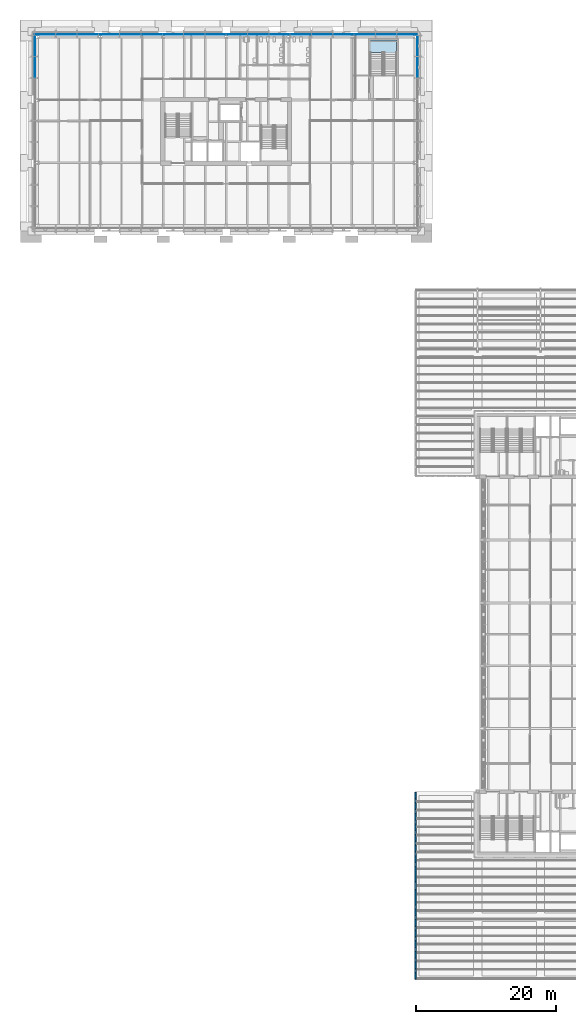
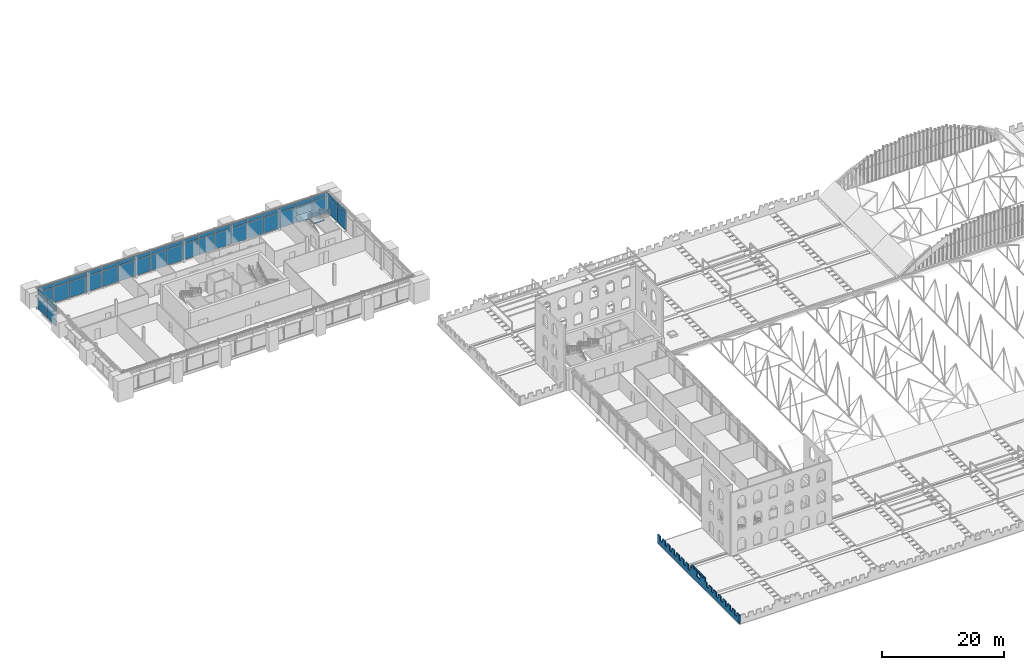
# One storey, part 102 of 153: 44 plates, 1 slab, 1 wall, 4 elements without a shape of their own.
"""IFC4 building model written with IfcOpenShell, lengths in metres."""

import ifcopenshell
import ifcopenshell.guid

model = None  # the IFC model being written
_history = None  # IfcOwnerHistory: only IFC2X3 demands one
_inside = {}  # id of a spatial element -> (the spatial element, [elements in it])
_under = {}  # id of a project, library or spatial element -> (it, [spatial elements below it])
_declared = {}  # id of a project -> (the project, [libraries it declares])
_typed = {}  # id of a type object -> (the type object, [elements of that type])
_made_of = {}  # id of a material, layer set ... -> (it, [elements and type objects made of it])


def new_model(schema):
    """Start an empty IFC model of exactly this schema.

    Asked for "IFC4X3", IfcOpenShell would pick the latest addendum, in which some entities
    have other attributes; the version numbers below select the first issue.
    IFC2X3 requires an IfcOwnerHistory on every rooted entity: one is made here for all.
    """
    global model, _history
    if schema == "IFC4X3":
        model = ifcopenshell.file(schema_version=(4, 3, 0, 0))
    else:
        model = ifcopenshell.file(schema=schema)
    _inside.clear()
    _under.clear()
    _declared.clear()
    _typed.clear()
    _made_of.clear()
    _history = None
    if model.schema == "IFC2X3":
        org = make("IfcOrganization", Name="unknown")
        user = make(
            "IfcPersonAndOrganization",
            ThePerson=make("IfcPerson", FamilyName="unknown"),
            TheOrganization=org,
        )
        app = make(
            "IfcApplication",
            ApplicationDeveloper=org,
            Version="unknown",
            ApplicationFullName="unknown",
            ApplicationIdentifier="unknown",
        )
        _history = make(
            "IfcOwnerHistory",
            OwningUser=user,
            OwningApplication=app,
            ChangeAction="ADDED",
            CreationDate=0,
        )
    return model


def make(cls, **values):
    """One entity of the class cls with the attributes given. An attribute that is None is left unset."""
    return model.create_entity(
        cls, **{name: value for name, value in values.items() if value is not None}
    )


def rooted(cls, **values):
    """An entity with a GlobalId (a new one), such as an element, a storey or a relation."""
    return make(cls, GlobalId=ifcopenshell.guid.new(), OwnerHistory=_history, **values)


def si_unit(unit_type, name, prefix=None):
    """IfcSIUnit, for example si_unit("LENGTHUNIT", "METRE", prefix="MILLI")."""
    return make("IfcSIUnit", UnitType=unit_type, Prefix=prefix, Name=name)


def assignment(units):
    """IfcUnitAssignment: the units of a project."""
    return None if units is None else make("IfcUnitAssignment", Units=units)


def point(xyz):
    """IfcCartesianPoint."""
    return None if xyz is None else make("IfcCartesianPoint", Coordinates=xyz)


def direction(xyz):
    """IfcDirection."""
    return None if xyz is None else make("IfcDirection", DirectionRatios=xyz)


def frame(location, z_axis=None, x_axis=None):
    """IfcAxis2Placement3D, a coordinate frame: its origin and axes. An axis left out is left unset."""
    return make(
        "IfcAxis2Placement3D",
        Location=point(location),
        Axis=direction(z_axis),
        RefDirection=direction(x_axis),
    )


def frame_2d(location, x_axis=None):
    """IfcAxis2Placement2D, a coordinate frame in the plane: its origin and x axis."""
    return make(
        "IfcAxis2Placement2D", Location=point(location), RefDirection=direction(x_axis)
    )


def origin():
    """The frame at (0, 0, 0) with its axes left unset."""
    return frame((0.0, 0.0, 0.0))


def origin_2d():
    """The frame at (0, 0) in the plane with its x axis left unset."""
    return frame_2d((0.0, 0.0))


def place(relative_to, where):
    """IfcLocalPlacement: puts the frame where relative to a parent placement (None: the world)."""
    return make(
        "IfcLocalPlacement", PlacementRelTo=relative_to, RelativePlacement=where
    )


def context(
    kind, dimensions, precision=None, world=None, true_north=None, identifier=None
):
    """IfcGeometricRepresentationContext, for example the 3D "Model" context."""
    return make(
        "IfcGeometricRepresentationContext",
        ContextIdentifier=identifier,
        ContextType=kind,
        CoordinateSpaceDimension=dimensions,
        Precision=precision,
        WorldCoordinateSystem=world,
        TrueNorth=true_north,
    )


def subcontext(parent, identifier, kind, view, scale=None):
    """IfcGeometricRepresentationSubContext, for example "Body" below "Model"."""
    return make(
        "IfcGeometricRepresentationSubContext",
        ContextIdentifier=identifier,
        ContextType=kind,
        ParentContext=parent,
        TargetScale=scale,
        TargetView=view,
    )


def project(units=None, contexts=None):
    """IfcProject with its units and contexts."""
    return rooted(
        "IfcProject",
        Name="project",
        RepresentationContexts=contexts,
        UnitsInContext=assignment(units),
    )


def spatial(cls, under=None, at=None, **own):
    """A site, building, storey or space (cls), placed at a placement, below another one or the project."""
    s = rooted(cls, ObjectPlacement=at, **own)
    if under is not None:
        _under.setdefault(under.id(), (under, []))[1].append(s)
    return s


def polyline(points):
    """IfcPolyline through the points."""
    return make("IfcPolyline", Points=[point(p) for p in points])


def profile(cls, at=None, kind="AREA", **sizes):
    """A parametric profile (cls). Its sizes go by their IFC names, for example OverallWidth=200.0."""
    return make(cls, ProfileType=kind, Position=at, **sizes)


def rectangle(**sizes):
    """IfcRectangleProfileDef."""
    return profile("IfcRectangleProfileDef", **sizes)


def outline(outer, holes=None, kind="AREA"):
    """IfcArbitraryClosedProfileDef: a profile drawn as a closed curve; with holes, ...WithVoids."""
    if holes is None:
        return make("IfcArbitraryClosedProfileDef", ProfileType=kind, OuterCurve=outer)
    return make(
        "IfcArbitraryProfileDefWithVoids",
        ProfileType=kind,
        OuterCurve=outer,
        InnerCurves=holes,
    )


def extrude(swept, where, along, depth):
    """IfcExtrudedAreaSolid: the profile swept, set in the frame where, extruded along a direction by depth."""
    return make(
        "IfcExtrudedAreaSolid",
        SweptArea=swept,
        Position=where,
        ExtrudedDirection=direction(along),
        Depth=depth,
    )


def shape(context_of_items, identifier, shape_type, items):
    """IfcShapeRepresentation: the items that make up one representation, for example the "Body"."""
    return make(
        "IfcShapeRepresentation",
        ContextOfItems=context_of_items,
        RepresentationIdentifier=identifier,
        RepresentationType=shape_type,
        Items=items,
    )


def material(Name=None, Category=None):
    """IfcMaterial."""
    return make("IfcMaterial", Name=Name, Category=Category)


def layer(
    of_material, thickness, ventilated=None, Name=None, Category=None, Priority=None
):
    """IfcMaterialLayer: one layer of a wall or slab, of a material (None: an air gap)."""
    return make(
        "IfcMaterialLayer",
        Material=of_material,
        LayerThickness=thickness,
        IsVentilated=ventilated,
        Name=Name,
        Category=Category,
        Priority=Priority,
    )


def layer_set(layers, Name=None):
    """IfcMaterialLayerSet."""
    return make("IfcMaterialLayerSet", MaterialLayers=layers, LayerSetName=Name)


def made_of(thing, what):
    """Note that an element or type object is made of a material, layer set ...; save() writes the relation."""
    if what is not None:
        _made_of.setdefault(what.id(), (what, []))[1].append(thing)
    return thing


def type_object(cls, material=None, **own):
    """A type object (cls), such as IfcWallType, which elements share."""
    return made_of(rooted(cls, **own), material)


def element(
    cls,
    number,
    at=None,
    inside=None,
    cuts=None,
    type_object=None,
    material=None,
    context=None,
    identifier="Body",
    shape_type=None,
    held_by="IfcProductDefinitionShape",
    body=None,
    shapes=None,
    **own,
):
    """One element of the class cls, such as IfcWall. Its Tag is "e" and its number.

    at: its placement. inside: the storey or other place that contains it. cuts: it is an
    opening in that element (IfcRelVoidsElement). A single representation is given by context,
    identifier, shape_type and body (its items); several are given by shapes. held_by: the class
    of the entity that holds the representations. save() writes the other relations.
    """
    e = rooted(cls, Tag="e%d" % number, ObjectPlacement=at, **own)
    if body is not None:
        shapes = [shape(context, identifier, shape_type, body)]
    if shapes is not None:
        e.Representation = make(held_by, Representations=shapes)
    if inside is not None:
        _inside.setdefault(inside.id(), (inside, []))[1].append(e)
    if cuts is not None:
        rooted(
            "IfcRelVoidsElement", RelatingBuildingElement=cuts, RelatedOpeningElement=e
        )
    if type_object is not None:
        _typed.setdefault(type_object.id(), (type_object, []))[1].append(e)
    return made_of(e, material)


def aggregate(whole, parts):
    """IfcRelAggregates: a whole, such as a stair, and the parts it consists of."""
    return rooted("IfcRelAggregates", RelatingObject=whole, RelatedObjects=parts)


def save(model, path):
    """Write the relations noted so far, then the file.

    IfcRelAggregates (storeys below a building ...), IfcRelContainedInSpatialStructure (elements
    in a storey), IfcRelDefinesByType, IfcRelAssociatesMaterial and IfcRelDeclares: one each for
    every whole, place, type object, material and project.
    """
    for whole, parts in _under.values():
        aggregate(whole, parts)
    for where, things in _inside.values():
        rooted(
            "IfcRelContainedInSpatialStructure",
            RelatedElements=things,
            RelatingStructure=where,
        )
    for kind, things in _typed.values():
        rooted("IfcRelDefinesByType", RelatedObjects=things, RelatingType=kind)
    for what, things in _made_of.values():
        rooted("IfcRelAssociatesMaterial", RelatedObjects=things, RelatingMaterial=what)
    for by, libraries in _declared.values():
        rooted("IfcRelDeclares", RelatingContext=by, RelatedDefinitions=libraries)
    model.write(path)


model = new_model("IFC4")

# Units and contexts
model_context = context("Model", 3, precision=1e-05, world=origin(), true_north=direction((0.0, 1.0)))
body_context = subcontext(model_context, "Body", "Model", "MODEL_VIEW")
ifc_project = project(units=[si_unit("LENGTHUNIT", "METRE"), si_unit("AREAUNIT", "SQUARE_METRE"), si_unit("VOLUMEUNIT", "CUBIC_METRE"), si_unit("PLANEANGLEUNIT", "RADIAN"), si_unit("MASSUNIT", "GRAM", prefix="KILO")], contexts=[model_context])

# Site, building, storey
site_placement = place(None, origin())
site = spatial("IfcSite", under=ifc_project, at=site_placement, CompositionType="ELEMENT")
building_placement = place(site_placement, origin())
building = spatial("IfcBuilding", under=site, at=building_placement, Name="Baradari Gate Terminus", CompositionType="ELEMENT")
storey_placement = place(building_placement, frame((0.0, 0.0, 11.699951171875)))
storey = spatial("IfcBuildingStorey", under=building, at=storey_placement, Name="L02", CompositionType="ELEMENT", Elevation=11.699951171875)

# Curtain wall, plates
ifc_material_1 = material(Name="Aluminium 6063-T6", Category="aluminium")
curtain_wall_type = type_object("IfcCurtainWallType", Name="Curtain wall CW-1 block unitised, zone L02-L05", PredefinedType="NOTDEFINED", material=ifc_material_1)
curtain_wall_1_placement = place(storey_placement, origin())
curtain_wall_1 = element("IfcCurtainWall", 1, at=curtain_wall_1_placement, inside=storey, type_object=curtain_wall_type, Name="Curtain wall CW-1 Operations block N face L02", PredefinedType="NOTDEFINED")
ifc_material_2 = material(Name="Insulating glass unit", Category="glass")
ifc_layer_1 = layer(ifc_material_2, 0.030029296875)
ifc_layer_set_1 = layer_set([ifc_layer_1], Name="Insulating glass unit")
plate_type_1 = type_object("IfcPlateType", Name="Curtain wall glazing unit CP-1 30", PredefinedType="CURTAIN_PANEL", material=ifc_layer_set_1)
plate_1_placement = place(storey_placement, frame((10.072265625, 144.3701171875, 0.06494140625), z_axis=(0.0, 0.0, 1.0), x_axis=(1.0, 0.0, 0.0)))
plate_1 = element("IfcPlate", 2, at=plate_1_placement, type_object=plate_type_1, Name="CW-1 panel 1.1", PredefinedType="CURTAIN_PANEL", context=body_context, shape_type="SweptSolid", body=[
    extrude(rectangle(XDim=2.954833984375, YDim=0.030029296875, at=origin_2d()), origin(), (0.0, 0.0, 1.0), 3.202392578125),
])
plate_2_placement = place(storey_placement, frame((13.1083984375, 144.3701171875, 0.06494140625), z_axis=(0.0, 0.0, 1.0), x_axis=(1.0, 0.0, 0.0)))
plate_2 = element("IfcPlate", 3, at=plate_2_placement, type_object=plate_type_1, Name="CW-1 panel 2.1", PredefinedType="CURTAIN_PANEL", context=body_context, shape_type="SweptSolid", body=[
    extrude(rectangle(XDim=2.9873046875, YDim=0.030029296875, at=origin_2d()), origin(), (0.0, 0.0, 1.0), 3.202392578125),
])
plate_3_placement = place(storey_placement, frame((16.16064453125, 144.3701171875, 0.06494140625), z_axis=(0.0, 0.0, 1.0), x_axis=(1.0, 0.0, 0.0)))
plate_3 = element("IfcPlate", 4, at=plate_3_placement, type_object=plate_type_1, Name="CW-1 panel 3.1", PredefinedType="CURTAIN_PANEL", context=body_context, shape_type="SweptSolid", body=[
    extrude(rectangle(XDim=2.9873046875, YDim=0.030029296875, at=origin_2d()), origin(), (0.0, 0.0, 1.0), 3.202392578125),
])
plate_4_placement = place(storey_placement, frame((19.212890625, 144.3701171875, 0.06494140625), z_axis=(0.0, 0.0, 1.0), x_axis=(1.0, 0.0, 0.0)))
plate_4 = element("IfcPlate", 5, at=plate_4_placement, type_object=plate_type_1, Name="CW-1 panel 4.1", PredefinedType="CURTAIN_PANEL", context=body_context, shape_type="SweptSolid", body=[
    extrude(rectangle(XDim=2.9873046875, YDim=0.030029296875, at=origin_2d()), origin(), (0.0, 0.0, 1.0), 3.202392578125),
])
plate_5_placement = place(storey_placement, frame((22.264892578125, 144.3701171875, 0.06494140625), z_axis=(0.0, 0.0, 1.0), x_axis=(1.0, 0.0, 0.0)))
plate_5 = element("IfcPlate", 6, at=plate_5_placement, type_object=plate_type_1, Name="CW-1 panel 5.1", PredefinedType="CURTAIN_PANEL", context=body_context, shape_type="SweptSolid", body=[
    extrude(rectangle(XDim=2.9873046875, YDim=0.030029296875, at=origin_2d()), origin(), (0.0, 0.0, 1.0), 3.202392578125),
])
plate_6_placement = place(storey_placement, frame((25.317138671875, 144.3701171875, 0.06494140625), z_axis=(0.0, 0.0, 1.0), x_axis=(1.0, 0.0, 0.0)))
plate_6 = element("IfcPlate", 7, at=plate_6_placement, type_object=plate_type_1, Name="CW-1 panel 6.1", PredefinedType="CURTAIN_PANEL", context=body_context, shape_type="SweptSolid", body=[
    extrude(rectangle(XDim=2.9873046875, YDim=0.030029296875, at=origin_2d()), origin(), (0.0, 0.0, 1.0), 3.202392578125),
])
plate_7_placement = place(storey_placement, frame((28.369384765625, 144.3701171875, 0.06494140625), z_axis=(0.0, 0.0, 1.0), x_axis=(1.0, 0.0, 0.0)))
plate_7 = element("IfcPlate", 8, at=plate_7_placement, type_object=plate_type_1, Name="CW-1 panel 7.1", PredefinedType="CURTAIN_PANEL", context=body_context, shape_type="SweptSolid", body=[
    extrude(rectangle(XDim=2.9873046875, YDim=0.030029296875, at=origin_2d()), origin(), (0.0, 0.0, 1.0), 3.202392578125),
])
plate_8_placement = place(storey_placement, frame((31.421630859375, 144.3701171875, 0.06494140625), z_axis=(0.0, 0.0, 1.0), x_axis=(1.0, 0.0, 0.0)))
plate_8 = element("IfcPlate", 9, at=plate_8_placement, type_object=plate_type_1, Name="CW-1 panel 8.1", PredefinedType="CURTAIN_PANEL", context=body_context, shape_type="SweptSolid", body=[
    extrude(rectangle(XDim=2.9873046875, YDim=0.030029296875, at=origin_2d()), origin(), (0.0, 0.0, 1.0), 3.202392578125),
])
plate_9_placement = place(storey_placement, frame((34.473876953125, 144.3701171875, 0.06494140625), z_axis=(0.0, 0.0, 1.0), x_axis=(1.0, 0.0, 0.0)))
plate_9 = element("IfcPlate", 10, at=plate_9_placement, type_object=plate_type_1, Name="CW-1 panel 9.1", PredefinedType="CURTAIN_PANEL", context=body_context, shape_type="SweptSolid", body=[
    extrude(rectangle(XDim=2.9873046875, YDim=0.030029296875, at=origin_2d()), origin(), (0.0, 0.0, 1.0), 3.202392578125),
])
plate_10_placement = place(storey_placement, frame((37.526123046875, 144.3701171875, 0.06494140625), z_axis=(0.0, 0.0, 1.0), x_axis=(1.0, 0.0, 0.0)))
plate_10 = element("IfcPlate", 11, at=plate_10_placement, type_object=plate_type_1, Name="CW-1 panel 10.1", PredefinedType="CURTAIN_PANEL", context=body_context, shape_type="SweptSolid", body=[
    extrude(rectangle(XDim=2.9873046875, YDim=0.030029296875, at=origin_2d()), origin(), (0.0, 0.0, 1.0), 3.202392578125),
])
plate_11_placement = place(storey_placement, frame((40.578369140625, 144.3701171875, 0.06494140625), z_axis=(0.0, 0.0, 1.0), x_axis=(1.0, 0.0, 0.0)))
plate_11 = element("IfcPlate", 12, at=plate_11_placement, type_object=plate_type_1, Name="CW-1 panel 11.1", PredefinedType="CURTAIN_PANEL", context=body_context, shape_type="SweptSolid", body=[
    extrude(rectangle(XDim=2.9873046875, YDim=0.030029296875, at=origin_2d()), origin(), (0.0, 0.0, 1.0), 3.202392578125),
])
plate_12_placement = place(storey_placement, frame((43.630615234375, 144.3701171875, 0.06494140625), z_axis=(0.0, 0.0, 1.0), x_axis=(1.0, 0.0, 0.0)))
plate_12 = element("IfcPlate", 13, at=plate_12_placement, type_object=plate_type_1, Name="CW-1 panel 12.1", PredefinedType="CURTAIN_PANEL", context=body_context, shape_type="SweptSolid", body=[
    extrude(rectangle(XDim=2.9873046875, YDim=0.030029296875, at=origin_2d()), origin(), (0.0, 0.0, 1.0), 3.202392578125),
])
plate_13_placement = place(storey_placement, frame((46.682861328125, 144.3701171875, 0.06494140625), z_axis=(0.0, 0.0, 1.0), x_axis=(1.0, 0.0, 0.0)))
plate_13 = element("IfcPlate", 14, at=plate_13_placement, type_object=plate_type_1, Name="CW-1 panel 13.1", PredefinedType="CURTAIN_PANEL", context=body_context, shape_type="SweptSolid", body=[
    extrude(rectangle(XDim=2.9873046875, YDim=0.030029296875, at=origin_2d()), origin(), (0.0, 0.0, 1.0), 3.202392578125),
])
plate_14_placement = place(storey_placement, frame((49.735107421875, 144.3701171875, 0.06494140625), z_axis=(0.0, 0.0, 1.0), x_axis=(1.0, 0.0, 0.0)))
plate_14 = element("IfcPlate", 15, at=plate_14_placement, type_object=plate_type_1, Name="CW-1 panel 14.1", PredefinedType="CURTAIN_PANEL", context=body_context, shape_type="SweptSolid", body=[
    extrude(rectangle(XDim=2.9873046875, YDim=0.030029296875, at=origin_2d()), origin(), (0.0, 0.0, 1.0), 3.202392578125),
])
plate_15_placement = place(storey_placement, frame((52.787109375, 144.3701171875, 0.06494140625), z_axis=(0.0, 0.0, 1.0), x_axis=(1.0, 0.0, 0.0)))
plate_15 = element("IfcPlate", 16, at=plate_15_placement, type_object=plate_type_1, Name="CW-1 panel 15.1", PredefinedType="CURTAIN_PANEL", context=body_context, shape_type="SweptSolid", body=[
    extrude(rectangle(XDim=2.9873046875, YDim=0.030029296875, at=origin_2d()), origin(), (0.0, 0.0, 1.0), 3.202392578125),
])
plate_16_placement = place(storey_placement, frame((55.83935546875, 144.3701171875, 0.06494140625), z_axis=(0.0, 0.0, 1.0), x_axis=(1.0, 0.0, 0.0)))
plate_16 = element("IfcPlate", 17, at=plate_16_placement, type_object=plate_type_1, Name="CW-1 panel 16.1", PredefinedType="CURTAIN_PANEL", context=body_context, shape_type="SweptSolid", body=[
    extrude(rectangle(XDim=2.9873046875, YDim=0.030029296875, at=origin_2d()), origin(), (0.0, 0.0, 1.0), 3.202392578125),
])
plate_17_placement = place(storey_placement, frame((58.8916015625, 144.3701171875, 0.06494140625), z_axis=(0.0, 0.0, 1.0), x_axis=(1.0, 0.0, 0.0)))
plate_17 = element("IfcPlate", 18, at=plate_17_placement, type_object=plate_type_1, Name="CW-1 panel 17.1", PredefinedType="CURTAIN_PANEL", context=body_context, shape_type="SweptSolid", body=[
    extrude(rectangle(XDim=2.9873046875, YDim=0.030029296875, at=origin_2d()), origin(), (0.0, 0.0, 1.0), 3.202392578125),
])
plate_18_placement = place(storey_placement, frame((61.927734375, 144.3701171875, 0.06494140625), z_axis=(0.0, 0.0, 1.0), x_axis=(1.0, 0.0, 0.0)))
plate_18 = element("IfcPlate", 19, at=plate_18_placement, type_object=plate_type_1, Name="CW-1 panel 18.1", PredefinedType="CURTAIN_PANEL", context=body_context, shape_type="SweptSolid", body=[
    extrude(rectangle(XDim=2.954833984375, YDim=0.030029296875, at=origin_2d()), origin(), (0.0, 0.0, 1.0), 3.202392578125),
])

curtain_wall_2_placement = place(storey_placement, origin())
curtain_wall_2 = element("IfcCurtainWall", 20, at=curtain_wall_2_placement, inside=storey, type_object=curtain_wall_type, Name="Curtain wall CW-1 Operations block W face L02", PredefinedType="NOTDEFINED")
plate_19_placement = place(storey_placement, frame((8.6298828125, 139.679931640625, 0.06494140625), z_axis=(0.0, 0.0, 1.0), x_axis=(0.0, 1.0, 0.0)))
plate_19 = element("IfcPlate", 21, at=plate_19_placement, type_object=plate_type_1, Name="CW-1 panel 8.1", PredefinedType="CURTAIN_PANEL", context=body_context, shape_type="SweptSolid", body=[
    extrude(rectangle(XDim=2.9951171875, YDim=0.030029296875, at=origin_2d()), origin(), (0.0, 0.0, 1.0), 3.202392578125),
])
plate_20_placement = place(storey_placement, frame((8.6298828125, 142.7236328125, 0.06494140625), z_axis=(0.0, 0.0, 1.0), x_axis=(0.0, 1.0, 0.0)))
plate_20 = element("IfcPlate", 22, at=plate_20_placement, type_object=plate_type_1, Name="CW-1 panel 9.1", PredefinedType="CURTAIN_PANEL", context=body_context, shape_type="SweptSolid", body=[
    extrude(rectangle(XDim=2.96240234375, YDim=0.030029296875, at=origin_2d()), origin(), (0.0, 0.0, 1.0), 3.202392578125),
])

curtain_wall_3_placement = place(storey_placement, origin())
curtain_wall_3 = element("IfcCurtainWall", 23, at=curtain_wall_3_placement, inside=storey, type_object=curtain_wall_type, Name="Curtain wall CW-1 Operations block E face L02", PredefinedType="NOTDEFINED")
plate_21_placement = place(storey_placement, frame((63.3701171875, 139.679931640625, 0.06494140625), z_axis=(0.0, 0.0, 1.0), x_axis=(0.0, 1.0, 0.0)))
plate_21 = element("IfcPlate", 24, at=plate_21_placement, type_object=plate_type_1, Name="CW-1 panel 8.1", PredefinedType="CURTAIN_PANEL", context=body_context, shape_type="SweptSolid", body=[
    extrude(rectangle(XDim=2.9951171875, YDim=0.030029296875, at=origin_2d()), origin(), (0.0, 0.0, 1.0), 3.202392578125),
])
plate_22_placement = place(storey_placement, frame((63.3701171875, 142.7236328125, 0.06494140625), z_axis=(0.0, 0.0, 1.0), x_axis=(0.0, 1.0, 0.0)))
plate_22 = element("IfcPlate", 25, at=plate_22_placement, type_object=plate_type_1, Name="CW-1 panel 9.1", PredefinedType="CURTAIN_PANEL", context=body_context, shape_type="SweptSolid", body=[
    extrude(rectangle(XDim=2.96240234375, YDim=0.030029296875, at=origin_2d()), origin(), (0.0, 0.0, 1.0), 3.202392578125),
])

# Plate
ifc_material_3 = material(Name="Back-painted glass", Category="glass")
ifc_layer_2 = layer(ifc_material_3, 0.070068359375)
ifc_layer_set_2 = layer_set([ifc_layer_2], Name="Back-painted glass")
plate_type_2 = type_object("IfcPlateType", Name="Curtain wall spandrel panel CP-S1 70", PredefinedType="CURTAIN_PANEL", material=ifc_layer_set_2)
plate_23_placement = place(storey_placement, frame((10.072265625, 144.3701171875, 3.33251953125), z_axis=(0.0, 0.0, 1.0), x_axis=(1.0, 0.0, 0.0)))
plate_23 = element("IfcPlate", 26, at=plate_23_placement, type_object=plate_type_2, Name="CW-1 spandrel panel 1.2", PredefinedType="CURTAIN_PANEL", context=body_context, shape_type="SweptSolid", body=[
    extrude(rectangle(XDim=2.954833984375, YDim=0.070068359375, at=origin_2d()), origin(), (0.0, 0.0, 1.0), 0.802490234375),
])

plate_24_placement = place(storey_placement, frame((13.1083984375, 144.3701171875, 3.33251953125), z_axis=(0.0, 0.0, 1.0), x_axis=(1.0, 0.0, 0.0)))
plate_24 = element("IfcPlate", 27, at=plate_24_placement, type_object=plate_type_2, Name="CW-1 spandrel panel 2.2", PredefinedType="CURTAIN_PANEL", context=body_context, shape_type="SweptSolid", body=[
    extrude(rectangle(XDim=2.9873046875, YDim=0.070068359375, at=origin_2d()), origin(), (0.0, 0.0, 1.0), 0.802490234375),
])

plate_25_placement = place(storey_placement, frame((16.16064453125, 144.3701171875, 3.33251953125), z_axis=(0.0, 0.0, 1.0), x_axis=(1.0, 0.0, 0.0)))
plate_25 = element("IfcPlate", 28, at=plate_25_placement, type_object=plate_type_2, Name="CW-1 spandrel panel 3.2", PredefinedType="CURTAIN_PANEL", context=body_context, shape_type="SweptSolid", body=[
    extrude(rectangle(XDim=2.9873046875, YDim=0.070068359375, at=origin_2d()), origin(), (0.0, 0.0, 1.0), 0.802490234375),
])

plate_26_placement = place(storey_placement, frame((19.212890625, 144.3701171875, 3.33251953125), z_axis=(0.0, 0.0, 1.0), x_axis=(1.0, 0.0, 0.0)))
plate_26 = element("IfcPlate", 29, at=plate_26_placement, type_object=plate_type_2, Name="CW-1 spandrel panel 4.2", PredefinedType="CURTAIN_PANEL", context=body_context, shape_type="SweptSolid", body=[
    extrude(rectangle(XDim=2.9873046875, YDim=0.070068359375, at=origin_2d()), origin(), (0.0, 0.0, 1.0), 0.802490234375),
])

plate_27_placement = place(storey_placement, frame((22.264892578125, 144.3701171875, 3.33251953125), z_axis=(0.0, 0.0, 1.0), x_axis=(1.0, 0.0, 0.0)))
plate_27 = element("IfcPlate", 30, at=plate_27_placement, type_object=plate_type_2, Name="CW-1 spandrel panel 5.2", PredefinedType="CURTAIN_PANEL", context=body_context, shape_type="SweptSolid", body=[
    extrude(rectangle(XDim=2.9873046875, YDim=0.070068359375, at=origin_2d()), origin(), (0.0, 0.0, 1.0), 0.802490234375),
])

plate_28_placement = place(storey_placement, frame((25.317138671875, 144.3701171875, 3.33251953125), z_axis=(0.0, 0.0, 1.0), x_axis=(1.0, 0.0, 0.0)))
plate_28 = element("IfcPlate", 31, at=plate_28_placement, type_object=plate_type_2, Name="CW-1 spandrel panel 6.2", PredefinedType="CURTAIN_PANEL", context=body_context, shape_type="SweptSolid", body=[
    extrude(rectangle(XDim=2.9873046875, YDim=0.070068359375, at=origin_2d()), origin(), (0.0, 0.0, 1.0), 0.802490234375),
])

plate_29_placement = place(storey_placement, frame((28.369384765625, 144.3701171875, 3.33251953125), z_axis=(0.0, 0.0, 1.0), x_axis=(1.0, 0.0, 0.0)))
plate_29 = element("IfcPlate", 32, at=plate_29_placement, type_object=plate_type_2, Name="CW-1 spandrel panel 7.2", PredefinedType="CURTAIN_PANEL", context=body_context, shape_type="SweptSolid", body=[
    extrude(rectangle(XDim=2.9873046875, YDim=0.070068359375, at=origin_2d()), origin(), (0.0, 0.0, 1.0), 0.802490234375),
])

plate_30_placement = place(storey_placement, frame((31.421630859375, 144.3701171875, 3.33251953125), z_axis=(0.0, 0.0, 1.0), x_axis=(1.0, 0.0, 0.0)))
plate_30 = element("IfcPlate", 33, at=plate_30_placement, type_object=plate_type_2, Name="CW-1 spandrel panel 8.2", PredefinedType="CURTAIN_PANEL", context=body_context, shape_type="SweptSolid", body=[
    extrude(rectangle(XDim=2.9873046875, YDim=0.070068359375, at=origin_2d()), origin(), (0.0, 0.0, 1.0), 0.802490234375),
])

plate_31_placement = place(storey_placement, frame((34.473876953125, 144.3701171875, 3.33251953125), z_axis=(0.0, 0.0, 1.0), x_axis=(1.0, 0.0, 0.0)))
plate_31 = element("IfcPlate", 34, at=plate_31_placement, type_object=plate_type_2, Name="CW-1 spandrel panel 9.2", PredefinedType="CURTAIN_PANEL", context=body_context, shape_type="SweptSolid", body=[
    extrude(rectangle(XDim=2.9873046875, YDim=0.070068359375, at=origin_2d()), origin(), (0.0, 0.0, 1.0), 0.802490234375),
])

plate_32_placement = place(storey_placement, frame((37.526123046875, 144.3701171875, 3.33251953125), z_axis=(0.0, 0.0, 1.0), x_axis=(1.0, 0.0, 0.0)))
plate_32 = element("IfcPlate", 35, at=plate_32_placement, type_object=plate_type_2, Name="CW-1 spandrel panel 10.2", PredefinedType="CURTAIN_PANEL", context=body_context, shape_type="SweptSolid", body=[
    extrude(rectangle(XDim=2.9873046875, YDim=0.070068359375, at=origin_2d()), origin(), (0.0, 0.0, 1.0), 0.802490234375),
])

plate_33_placement = place(storey_placement, frame((40.578369140625, 144.3701171875, 3.33251953125), z_axis=(0.0, 0.0, 1.0), x_axis=(1.0, 0.0, 0.0)))
plate_33 = element("IfcPlate", 36, at=plate_33_placement, type_object=plate_type_2, Name="CW-1 spandrel panel 11.2", PredefinedType="CURTAIN_PANEL", context=body_context, shape_type="SweptSolid", body=[
    extrude(rectangle(XDim=2.9873046875, YDim=0.070068359375, at=origin_2d()), origin(), (0.0, 0.0, 1.0), 0.802490234375),
])

plate_34_placement = place(storey_placement, frame((43.630615234375, 144.3701171875, 3.33251953125), z_axis=(0.0, 0.0, 1.0), x_axis=(1.0, 0.0, 0.0)))
plate_34 = element("IfcPlate", 37, at=plate_34_placement, type_object=plate_type_2, Name="CW-1 spandrel panel 12.2", PredefinedType="CURTAIN_PANEL", context=body_context, shape_type="SweptSolid", body=[
    extrude(rectangle(XDim=2.9873046875, YDim=0.070068359375, at=origin_2d()), origin(), (0.0, 0.0, 1.0), 0.802490234375),
])

plate_35_placement = place(storey_placement, frame((46.682861328125, 144.3701171875, 3.33251953125), z_axis=(0.0, 0.0, 1.0), x_axis=(1.0, 0.0, 0.0)))
plate_35 = element("IfcPlate", 38, at=plate_35_placement, type_object=plate_type_2, Name="CW-1 spandrel panel 13.2", PredefinedType="CURTAIN_PANEL", context=body_context, shape_type="SweptSolid", body=[
    extrude(rectangle(XDim=2.9873046875, YDim=0.070068359375, at=origin_2d()), origin(), (0.0, 0.0, 1.0), 0.802490234375),
])

plate_36_placement = place(storey_placement, frame((49.735107421875, 144.3701171875, 3.33251953125), z_axis=(0.0, 0.0, 1.0), x_axis=(1.0, 0.0, 0.0)))
plate_36 = element("IfcPlate", 39, at=plate_36_placement, type_object=plate_type_2, Name="CW-1 spandrel panel 14.2", PredefinedType="CURTAIN_PANEL", context=body_context, shape_type="SweptSolid", body=[
    extrude(rectangle(XDim=2.9873046875, YDim=0.070068359375, at=origin_2d()), origin(), (0.0, 0.0, 1.0), 0.802490234375),
])

plate_37_placement = place(storey_placement, frame((52.787109375, 144.3701171875, 3.33251953125), z_axis=(0.0, 0.0, 1.0), x_axis=(1.0, 0.0, 0.0)))
plate_37 = element("IfcPlate", 40, at=plate_37_placement, type_object=plate_type_2, Name="CW-1 spandrel panel 15.2", PredefinedType="CURTAIN_PANEL", context=body_context, shape_type="SweptSolid", body=[
    extrude(rectangle(XDim=2.9873046875, YDim=0.070068359375, at=origin_2d()), origin(), (0.0, 0.0, 1.0), 0.802490234375),
])

plate_38_placement = place(storey_placement, frame((55.83935546875, 144.3701171875, 3.33251953125), z_axis=(0.0, 0.0, 1.0), x_axis=(1.0, 0.0, 0.0)))
plate_38 = element("IfcPlate", 41, at=plate_38_placement, type_object=plate_type_2, Name="CW-1 spandrel panel 16.2", PredefinedType="CURTAIN_PANEL", context=body_context, shape_type="SweptSolid", body=[
    extrude(rectangle(XDim=2.9873046875, YDim=0.070068359375, at=origin_2d()), origin(), (0.0, 0.0, 1.0), 0.802490234375),
])

plate_39_placement = place(storey_placement, frame((58.8916015625, 144.3701171875, 3.33251953125), z_axis=(0.0, 0.0, 1.0), x_axis=(1.0, 0.0, 0.0)))
plate_39 = element("IfcPlate", 42, at=plate_39_placement, type_object=plate_type_2, Name="CW-1 spandrel panel 17.2", PredefinedType="CURTAIN_PANEL", context=body_context, shape_type="SweptSolid", body=[
    extrude(rectangle(XDim=2.9873046875, YDim=0.070068359375, at=origin_2d()), origin(), (0.0, 0.0, 1.0), 0.802490234375),
])

plate_40_placement = place(storey_placement, frame((61.927734375, 144.3701171875, 3.33251953125), z_axis=(0.0, 0.0, 1.0), x_axis=(1.0, 0.0, 0.0)))
plate_40 = element("IfcPlate", 43, at=plate_40_placement, type_object=plate_type_2, Name="CW-1 spandrel panel 18.2", PredefinedType="CURTAIN_PANEL", context=body_context, shape_type="SweptSolid", body=[
    extrude(rectangle(XDim=2.954833984375, YDim=0.070068359375, at=origin_2d()), origin(), (0.0, 0.0, 1.0), 0.802490234375),
])

aggregate(curtain_wall_1, [plate_1, plate_23, plate_2, plate_24, plate_3, plate_25, plate_4, plate_26, plate_5, plate_27, plate_6, plate_28, plate_7, plate_29, plate_8, plate_30, plate_9, plate_31, plate_10, plate_32, plate_11, plate_33, plate_12, plate_34, plate_13, plate_35, plate_14, plate_36, plate_15, plate_37, plate_16, plate_38, plate_17, plate_39, plate_18, plate_40])

plate_41_placement = place(storey_placement, frame((8.6298828125, 139.679931640625, 3.33251953125), z_axis=(0.0, 0.0, 1.0), x_axis=(0.0, 1.0, 0.0)))
plate_41 = element("IfcPlate", 44, at=plate_41_placement, type_object=plate_type_2, Name="CW-1 spandrel panel 8.2", PredefinedType="CURTAIN_PANEL", context=body_context, shape_type="SweptSolid", body=[
    extrude(rectangle(XDim=2.9951171875, YDim=0.070068359375, at=origin_2d()), origin(), (0.0, 0.0, 1.0), 0.802490234375),
])

plate_42_placement = place(storey_placement, frame((8.6298828125, 142.7236328125, 3.33251953125), z_axis=(0.0, 0.0, 1.0), x_axis=(0.0, 1.0, 0.0)))
plate_42 = element("IfcPlate", 45, at=plate_42_placement, type_object=plate_type_2, Name="CW-1 spandrel panel 9.2", PredefinedType="CURTAIN_PANEL", context=body_context, shape_type="SweptSolid", body=[
    extrude(rectangle(XDim=2.96240234375, YDim=0.070068359375, at=origin_2d()), origin(), (0.0, 0.0, 1.0), 0.802490234375),
])

aggregate(curtain_wall_2, [plate_19, plate_41, plate_20, plate_42])

plate_43_placement = place(storey_placement, frame((63.3701171875, 139.679931640625, 3.33251953125), z_axis=(0.0, 0.0, 1.0), x_axis=(0.0, 1.0, 0.0)))
plate_43 = element("IfcPlate", 46, at=plate_43_placement, type_object=plate_type_2, Name="CW-1 spandrel panel 8.2", PredefinedType="CURTAIN_PANEL", context=body_context, shape_type="SweptSolid", body=[
    extrude(rectangle(XDim=2.9951171875, YDim=0.070068359375, at=origin_2d()), origin(), (0.0, 0.0, 1.0), 0.802490234375),
])

plate_44_placement = place(storey_placement, frame((63.3701171875, 142.7236328125, 3.33251953125), z_axis=(0.0, 0.0, 1.0), x_axis=(0.0, 1.0, 0.0)))
plate_44 = element("IfcPlate", 47, at=plate_44_placement, type_object=plate_type_2, Name="CW-1 spandrel panel 9.2", PredefinedType="CURTAIN_PANEL", context=body_context, shape_type="SweptSolid", body=[
    extrude(rectangle(XDim=2.96240234375, YDim=0.070068359375, at=origin_2d()), origin(), (0.0, 0.0, 1.0), 0.802490234375),
])

aggregate(curtain_wall_3, [plate_21, plate_43, plate_22, plate_44])

# Stair, slab
ifc_material_4 = material(Name="Concrete C32/40", Category="concrete")
stair_type = type_object("IfcStairType", Name="Exit stair ST-T3 riser 175 x 1800", PredefinedType="HALF_TURN_STAIR", material=ifc_material_4)
stair_placement = place(storey_placement, origin())
stair = element("IfcStair", 48, at=stair_placement, inside=storey, type_object=stair_type, Name="Stair ST-T3 L02 to L03", PredefinedType="HALF_TURN_STAIR")
ifc_material_5 = material(Name="Concrete C32/40", Category="concrete")
ifc_layer_3 = layer(ifc_material_5, 0.199951171875)
ifc_layer_set_3 = layer_set([ifc_layer_3], Name="Concrete C32/40")
slab_type = type_object("IfcSlabType", Name="Stair landing LS-1 200", PredefinedType="LANDING", material=ifc_layer_set_3)
slab_placement = place(storey_placement, frame((0.0, 0.0, 1.900146484375)))
slab = element("IfcSlab", 49, at=slab_placement, type_object=slab_type, Name="ST-T3 landing 1", PredefinedType="LANDING", context=body_context, shape_type="SweptSolid", body=[
    extrude(outline(polyline([(56.60009765625, 143.60009765625), (56.60009765625, 141.780029296875), (58.39990234375, 141.780029296875), (58.39990234375, 140.264892578125), (58.60009765625, 140.264892578125), (60.39990234375, 140.264892578125), (60.39990234375, 143.60009765625), (56.60009765625, 143.60009765625)])), origin(), (0.0, 0.0, 1.0), 0.199951171875),
])
aggregate(stair, [slab])

# Wall
ifc_material_6 = material(Name="Concrete C32/40 precast", Category="concrete")
ifc_layer_4 = layer(ifc_material_6, 0.199951171875)
ifc_layer_set_4 = layer_set([ifc_layer_4], Name="Concrete C32/40 precast")
wall_type = type_object("IfcWallType", Name="Parapet PW-6 200x2400 wing crown", PredefinedType="PARAPET", material=ifc_layer_set_4)
wall_placement = place(storey_placement, frame((63.125, 9.125, 0.0), z_axis=(0.0, 0.0, 1.0), x_axis=(0.0, 1.0, 0.0)))
element("IfcWall", 50, at=wall_placement, inside=storey, type_object=wall_type, Name="South wing roof parapet PR-S2 1 1", PredefinedType="PARAPET", context=body_context, shape_type="SweptSolid", body=[
    extrude(outline(polyline([(6.982421875, 0.900146484375), (6.982421875, 1.699951171875), (6.08251953125, 1.699951171875), (6.08251953125, 0.900146484375), (5.4619140625, 0.900146484375), (5.4619140625, 1.699951171875), (4.561767578125, 1.699951171875), (4.561767578125, 0.900146484375), (3.941162109375, 0.900146484375), (3.941162109375, 1.699951171875), (3.041259765625, 1.699951171875), (3.041259765625, 0.900146484375), (2.420654296875, 0.900146484375), (2.420654296875, 1.699951171875), (1.5205078125, 1.699951171875), (1.5205078125, 0.900146484375), (0.89990234375, 0.900146484375), (0.89990234375, 1.699951171875), (0.0, 1.699951171875), (0.0, 0.0), (26.75, 0.0), (26.75, 1.699951171875), (25.85009765625, 1.699951171875), (25.85009765625, 0.900146484375), (25.2294921875, 0.900146484375), (25.2294921875, 1.699951171875), (24.329345703125, 1.699951171875), (24.329345703125, 0.900146484375), (23.708740234375, 0.900146484375), (23.708740234375, 1.699951171875), (22.808837890625, 1.699951171875), (22.808837890625, 0.900146484375), (22.188232421875, 0.900146484375), (22.188232421875, 1.699951171875), (21.2880859375, 1.699951171875), (21.2880859375, 0.900146484375), (20.66748046875, 0.900146484375), (20.66748046875, 1.699951171875), (19.767578125, 1.699951171875), (19.767578125, 0.900146484375), (19.147216796875, 0.900146484375), (19.147216796875, 1.699951171875), (18.2470703125, 1.699951171875), (18.2470703125, 0.900146484375), (17.62646484375, 0.900146484375), (17.62646484375, 1.699951171875), (16.7265625, 1.699951171875), (16.7265625, 0.900146484375), (16.10595703125, 0.900146484375), (16.10595703125, 1.699951171875), (15.625, 1.699951171875), (15.625, 2.400146484375), (15.02490234375, 2.400146484375), (15.02490234375, 2.0), (14.64990234375, 2.0), (14.64990234375, 2.400146484375), (14.050048828125, 2.400146484375), (14.050048828125, 2.0), (13.675048828125, 2.0), (13.675048828125, 2.400146484375), (13.074951171875, 2.400146484375), (13.074951171875, 2.0), (12.699951171875, 2.0), (12.699951171875, 2.400146484375), (12.10009765625, 2.400146484375), (12.10009765625, 2.0), (11.72509765625, 2.0), (11.72509765625, 2.400146484375), (11.125, 2.400146484375), (11.125, 1.699951171875), (10.64404296875, 1.699951171875), (10.64404296875, 0.900146484375), (10.0234375, 0.900146484375), (10.0234375, 1.699951171875), (9.12353515625, 1.699951171875), (9.12353515625, 0.900146484375), (8.5029296875, 0.900146484375), (8.5029296875, 1.699951171875), (7.602783203125, 1.699951171875), (7.602783203125, 0.900146484375), (6.982421875, 0.900146484375)]), holes=[polyline([(12.77490234375, 1.10009765625), (12.77490234375, 1.199951171875), (12.77978515625, 1.283447265625), (12.794677734375, 1.365966796875), (12.819091796875, 1.44580078125), (12.8525390625, 1.5224609375), (12.89501953125, 1.594482421875), (12.945556640625, 1.6611328125), (13.003662109375, 1.72119140625), (13.068359375, 1.774169921875), (13.138916015625, 1.81884765625), (13.214111328125, 1.855224609375), (13.293212890625, 1.882568359375), (13.375, 1.900146484375), (13.456787109375, 1.882568359375), (13.535888671875, 1.855224609375), (13.611083984375, 1.81884765625), (13.681640625, 1.774169921875), (13.746337890625, 1.72119140625), (13.804443359375, 1.6611328125), (13.85498046875, 1.594482421875), (13.8974609375, 1.5224609375), (13.930908203125, 1.44580078125), (13.955322265625, 1.365966796875), (13.97021484375, 1.283447265625), (13.97509765625, 1.199951171875), (13.97509765625, 1.10009765625), (12.77490234375, 1.10009765625)])]), frame((0.0, 0.10009765625, 0.0), z_axis=(0.0, -1.0, 0.0), x_axis=(1.0, 0.0, 0.0)), (0.0, 0.0, 1.0), 0.199951171875),
])

save(model, "model.ifc")
